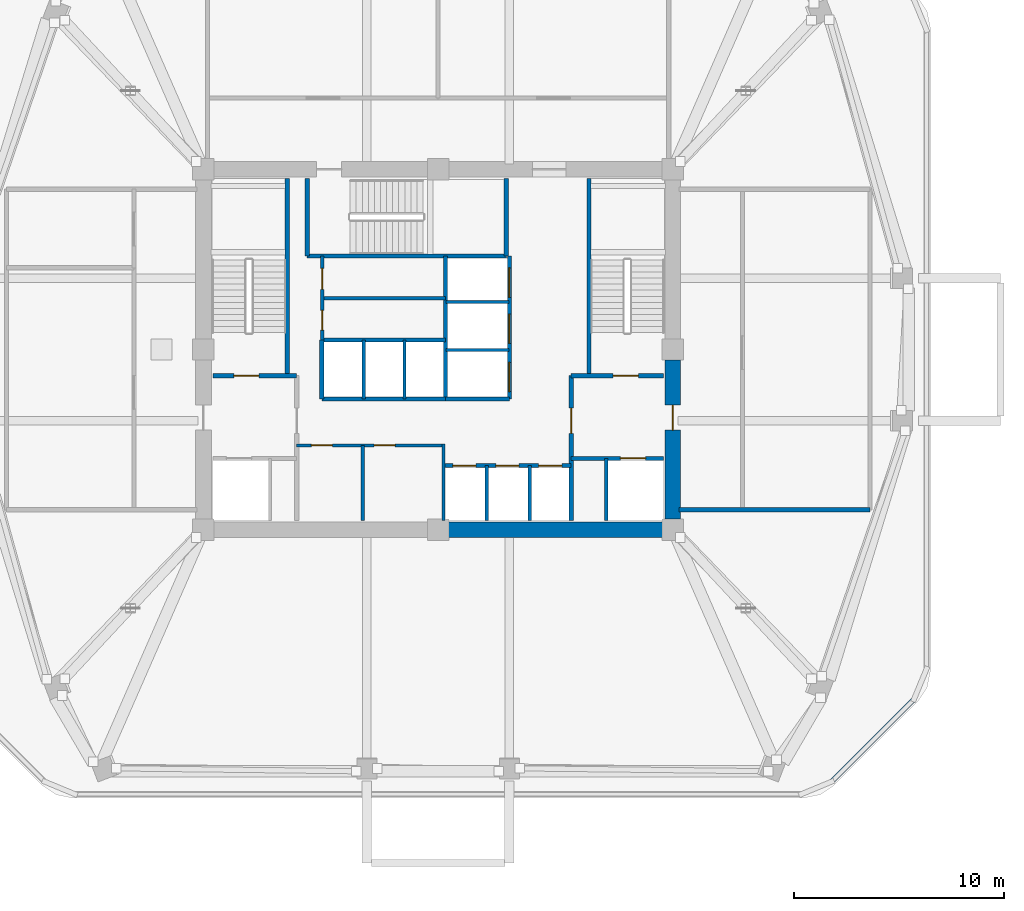
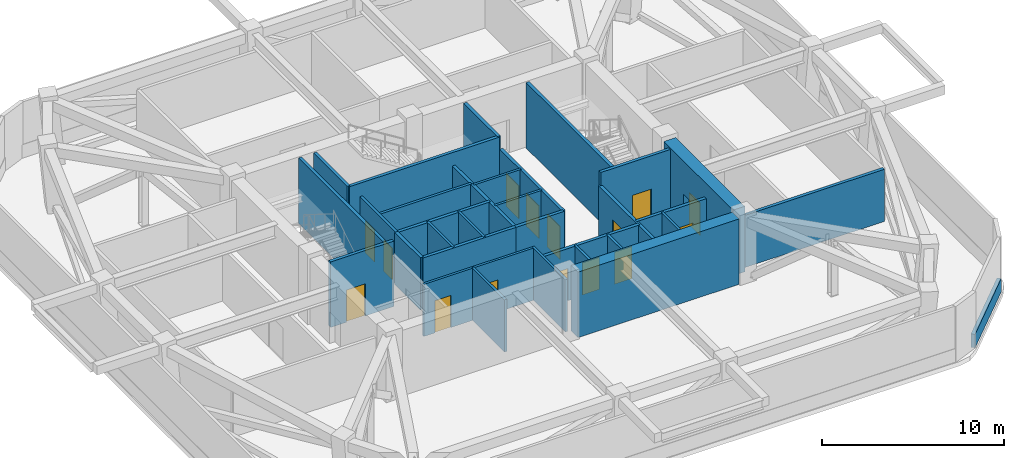
# One storey, part 4 of 8: 32 walls, 15 doors, 15 openings.
"""IFC4 building model written with IfcOpenShell, lengths in metres."""

from ifc_helpers import new_model, si_unit, derived_unit, direction, frame, frame_2d, origin, place, context, subcontext, project, spatial, rectangle, extrude, material, layer, layer_set, type_object, element, fill, save


model = new_model("IFC4")

# Units and contexts
model_context = context("Model", 3, precision=1e-05, world=origin(), true_north=direction((0.0, 1.0)))
body_context = subcontext(model_context, "Body", "Model", "MODEL_VIEW")
ifc_project = project(units=[si_unit("LENGTHUNIT", "METRE"), si_unit("AREAUNIT", "SQUARE_METRE"), si_unit("VOLUMEUNIT", "CUBIC_METRE"), si_unit("PLANEANGLEUNIT", "RADIAN"), si_unit("MASSUNIT", "GRAM", prefix="KILO"), derived_unit("THERMALTRANSMITTANCEUNIT", [(si_unit("POWERUNIT", "WATT"), 1), (si_unit("LENGTHUNIT", "METRE"), -2), (si_unit("THERMODYNAMICTEMPERATUREUNIT", "KELVIN"), -1)])], contexts=[model_context])

# Site, building, storey
site_placement = place(None, origin())
site = spatial("IfcSite", under=ifc_project, at=site_placement, CompositionType="ELEMENT")
building_placement = place(site_placement, origin())
building = spatial("IfcBuilding", under=site, at=building_placement, Name="Koralith Skygarden Medical Center", CompositionType="ELEMENT")
storey_placement = place(building_placement, frame((0.0, 0.0, 178.02001953125)))
storey = spatial("IfcBuildingStorey", under=building, at=storey_placement, Name="L46", CompositionType="ELEMENT", Elevation=178.02001953125)

# Wall, openings, doors
ifc_material_1 = material(Name="Gypsum Board Partition")
ifc_layer_1 = layer(ifc_material_1, 0.14990234375)
ifc_layer_set_1 = layer_set([ifc_layer_1], Name="Gypsum Board Partition")
wall_type_1 = type_object("IfcWallType", Name="Clinical Acoustic Partition 150", PredefinedType="PARTITIONING", material=ifc_layer_set_1)
wall_1_placement = place(storey_placement, frame((30.25, 21.320068359375, 0.0), z_axis=(0.0, 0.0, 1.0), x_axis=(1.0, 0.0, 0.0)))
wall_1 = element("IfcWall", 1, at=wall_1_placement, inside=storey, type_object=wall_type_1, Name="L46 Clinical Acoustic Partition 150 W-CORE-L46-FREED-LR-N", PredefinedType="PARTITIONING", context=body_context, shape_type="SweptSolid", body=[
    extrude(rectangle(XDim=7.0, YDim=0.14990234375, at=frame_2d((3.5, 0.0))), origin(), (0.0, 0.0, 1.0), 3.489990234375),
])
opening_1_placement = place(wall_1_placement, frame((0.699951171875, 0.0, 0.0)))
opening_1 = element("IfcOpeningElement", 2, at=opening_1_placement, cuts=wall_1, Name="Opening D-SUP", PredefinedType="OPENING", context=body_context, shape_type="SweptSolid", body=[
    extrude(rectangle(XDim=1.0, YDim=2.14990234375, at=frame_2d((0.5, 1.074951171875))), frame((0.0, 0.0849609375, 0.0), z_axis=(0.0, -1.0, 0.0), x_axis=(1.0, 0.0, 0.0)), (0.0, 0.0, 1.0), 0.169921875),
])
opening_2_placement = place(wall_1_placement, frame((3.699951171875, 0.0, 0.0)))
opening_2 = element("IfcOpeningElement", 3, at=opening_2_placement, cuts=wall_1, Name="Opening D-SUP", PredefinedType="OPENING", context=body_context, shape_type="SweptSolid", body=[
    extrude(rectangle(XDim=1.0, YDim=2.14990234375, at=frame_2d((0.5, 1.074951171875))), frame((0.0, 0.0849609375, 0.0), z_axis=(0.0, -1.0, 0.0), x_axis=(1.0, 0.0, 0.0)), (0.0, 0.0, 1.0), 0.169921875),
])
ifc_material_2 = material(Name="Aluminium 6063-T6", Category="aluminium")
door_type_1 = type_object("IfcDoorType", Name="Clinical Support Door D-SUP 1000", OperationType="NOTDEFINED", PredefinedType="DOOR", material=ifc_material_2)
door_1_placement = place(opening_1_placement, frame((1.0, 0.0, 0.0), z_axis=(0.0, 0.0, 1.0), x_axis=(-1.0, 0.0, 0.0)))
door_1 = element("IfcDoor", 4, at=door_1_placement, inside=storey, type_object=door_type_1, Name="L46 Medication Preparation Door", OperationType="SINGLE_SWING_LEFT", OverallHeight=2.14990234375, OverallWidth=1.0, PredefinedType="DOOR", context=body_context, shape_type="SweptSolid", body=[
    extrude(rectangle(XDim=1.0, YDim=2.14990234375, at=frame_2d((0.5, 1.074951171875))), frame((0.0, 0.02490234375, 0.0), z_axis=(0.0, -1.0, 0.0), x_axis=(1.0, 0.0, 0.0)), (0.0, 0.0, 1.0), 0.050048828125),
])
fill(opening_1, door_1)
door_2_placement = place(opening_2_placement, frame((1.0, 0.0, 0.0), z_axis=(0.0, 0.0, 1.0), x_axis=(-1.0, 0.0, 0.0)))
door_2 = element("IfcDoor", 5, at=door_2_placement, inside=storey, type_object=door_type_1, Name="L46 Telemetry Room Door", OperationType="SINGLE_SWING_RIGHT", OverallHeight=2.14990234375, OverallWidth=1.0, PredefinedType="DOOR", context=body_context, shape_type="SweptSolid", body=[
    extrude(rectangle(XDim=1.0, YDim=2.14990234375, at=frame_2d((0.5, 1.074951171875))), frame((0.0, 0.02490234375, 0.0), z_axis=(0.0, -1.0, 0.0), x_axis=(1.0, 0.0, 0.0)), (0.0, 0.0, 1.0), 0.050048828125),
])
fill(opening_2, door_2)

# Wall
wall_2_placement = place(storey_placement, frame((33.39990234375, 17.75, 0.0), z_axis=(0.0, 0.0, 1.0), x_axis=(0.0, 1.0, 0.0)))
element("IfcWall", 6, at=wall_2_placement, inside=storey, type_object=wall_type_1, Name="L46 Clinical Acoustic Partition 150 W-CORE-L46-FREED-LR-M", PredefinedType="PARTITIONING", context=body_context, shape_type="SweptSolid", body=[
    extrude(rectangle(XDim=3.570068359375, YDim=0.14990234375, at=frame_2d((1.78515625, 0.0))), origin(), (0.0, 0.0, 1.0), 3.489990234375),
])

# Wall, opening, door
ifc_layer_2 = layer(ifc_material_1, 0.199951171875)
ifc_layer_set_2 = layer_set([ifc_layer_2], Name="Gypsum Board Partition")
wall_type_2 = type_object("IfcWallType", Name="Fire Shaft Wall 200", PredefinedType="SOLIDWALL", material=ifc_layer_set_2)
wall_3_placement = place(storey_placement, frame((43.35009765625, 20.699951171875, 0.0), z_axis=(0.0, 0.0, 1.0), x_axis=(1.0, 0.0, 0.0)))
wall_3 = element("IfcWall", 7, at=wall_3_placement, inside=storey, type_object=wall_type_2, Name="L46 Fire Shaft Wall 200 W-CORE-L46-FF2-N", PredefinedType="SOLIDWALL", context=body_context, shape_type="SweptSolid", body=[
    extrude(rectangle(XDim=4.39990234375, YDim=0.199951171875, at=frame_2d((2.199951171875, 0.0))), origin(), (0.0, 0.0, 1.0), 3.489990234375),
])
opening_3_placement = place(wall_3_placement, frame((2.35009765625, 0.0, 0.0)))
opening_3 = element("IfcOpeningElement", 8, at=opening_3_placement, cuts=wall_3, Name="Opening LD-FF", PredefinedType="OPENING", context=body_context, shape_type="SweptSolid", body=[
    extrude(rectangle(XDim=1.199951171875, YDim=2.14990234375, at=frame_2d((0.60009765625, 1.074951171875))), frame((0.0, 0.10986328125, 0.0), z_axis=(0.0, -1.0, 0.0), x_axis=(1.0, 0.0, 0.0)), (0.0, 0.0, 1.0), 0.219970703125),
])
ifc_material_3 = material(Name="Steel ASTM A500 Grade C", Category="steel")
door_type_2 = type_object("IfcDoorType", Name="Fire Lift Sliding Landing Door LD-FF 1200", OperationType="NOTDEFINED", PredefinedType="DOOR", material=ifc_material_3)
door_3_placement = place(opening_3_placement, origin())
door_3 = element("IfcDoor", 9, at=door_3_placement, inside=storey, type_object=door_type_2, Name="L46 Fire Service Elevator FF2 Landing Door", OperationType="SLIDING_TO_RIGHT", OverallHeight=2.14990234375, OverallWidth=1.199951171875, PredefinedType="DOOR", context=body_context, shape_type="SweptSolid", body=[
    extrude(rectangle(XDim=1.199951171875, YDim=2.14990234375, at=frame_2d((0.60009765625, 1.074951171875))), frame((0.0, 0.02490234375, 0.0), z_axis=(0.0, -1.0, 0.0), x_axis=(1.0, 0.0, 0.0)), (0.0, 0.0, 1.0), 0.050048828125),
])
fill(opening_3, door_3)

wall_4_placement = place(storey_placement, frame((43.35009765625, 17.75, 0.0), z_axis=(0.0, 0.0, 1.0), x_axis=(0.0, 1.0, 0.0)))
wall_4 = element("IfcWall", 10, at=wall_4_placement, inside=storey, type_object=wall_type_2, Name="L46 Fire Shaft Wall 200 W-CORE-L46-FSAEE-W", PredefinedType="SOLIDWALL", context=body_context, shape_type="SweptSolid", body=[
    extrude(rectangle(XDim=6.89990234375, YDim=0.199951171875, at=frame_2d((3.449951171875, 0.0))), origin(), (0.0, 0.0, 1.0), 3.489990234375),
])
opening_4_placement = place(wall_4_placement, frame((4.14990234375, 0.0, 0.0)))
opening_4 = element("IfcOpeningElement", 11, at=opening_4_placement, cuts=wall_4, Name="Opening D-ST60", PredefinedType="OPENING", context=body_context, shape_type="SweptSolid", body=[
    extrude(rectangle(XDim=1.199951171875, YDim=2.14990234375, at=frame_2d((0.60009765625, 1.074951171875))), frame((0.0, 0.10986328125, 0.0), z_axis=(0.0, -1.0, 0.0), x_axis=(1.0, 0.0, 0.0)), (0.0, 0.0, 1.0), 0.219970703125),
])
door_type_3 = type_object("IfcDoorType", Name="Smokeproof Stair Fire Door FD60S 1200", OperationType="NOTDEFINED", PredefinedType="DOOR", material=ifc_material_3)
door_4_placement = place(opening_4_placement, frame((1.199951171875, 0.0, 0.0), z_axis=(0.0, 0.0, 1.0), x_axis=(-1.0, 0.0, 0.0)))
door_4 = element("IfcDoor", 12, at=door_4_placement, inside=storey, type_object=door_type_3, Name="L46 East Firefighting Lobby Inner Fire Door", OperationType="SINGLE_SWING_RIGHT", OverallHeight=2.14990234375, OverallWidth=1.199951171875, PredefinedType="DOOR", context=body_context, shape_type="SweptSolid", body=[
    extrude(rectangle(XDim=1.199951171875, YDim=2.14990234375, at=frame_2d((0.60009765625, 1.074951171875))), frame((0.0, 0.02490234375, 0.0), z_axis=(0.0, -1.0, 0.0), x_axis=(1.0, 0.0, 0.0)), (0.0, 0.0, 1.0), 0.050048828125),
])
fill(opening_4, door_4)

# Wall, openings, doors
wall_5_placement = place(storey_placement, frame((37.25, 20.360107421875, 0.0), z_axis=(0.0, 0.0, 1.0), x_axis=(1.0, 0.0, 0.0)))
wall_5 = element("IfcWall", 13, at=wall_5_placement, inside=storey, type_object=wall_type_2, Name="L46 Fire Shaft Wall 200 W-CORE-L46-PM-N", PredefinedType="SOLIDWALL", context=body_context, shape_type="SweptSolid", body=[
    extrude(rectangle(XDim=6.10009765625, YDim=0.199951171875, at=frame_2d((3.050048828125, 0.0))), origin(), (0.0, 0.0, 1.0), 3.489990234375),
])
opening_5_placement = place(wall_5_placement, frame((0.449951171875, 0.0, 0.0)))
opening_5 = element("IfcOpeningElement", 14, at=opening_5_placement, cuts=wall_5, Name="Opening LD-P", PredefinedType="OPENING", context=body_context, shape_type="SweptSolid", body=[
    extrude(rectangle(XDim=1.10009765625, YDim=2.14990234375, at=frame_2d((0.550048828125, 1.074951171875))), frame((0.0, 0.10986328125, 0.0), z_axis=(0.0, -1.0, 0.0), x_axis=(1.0, 0.0, 0.0)), (0.0, 0.0, 1.0), 0.219970703125),
])
opening_6_placement = place(wall_5_placement, frame((2.5, 0.0, 0.0)))
opening_6 = element("IfcOpeningElement", 15, at=opening_6_placement, cuts=wall_5, Name="Opening LD-P", PredefinedType="OPENING", context=body_context, shape_type="SweptSolid", body=[
    extrude(rectangle(XDim=1.10009765625, YDim=2.14990234375, at=frame_2d((0.550048828125, 1.074951171875))), frame((0.0, 0.10986328125, 0.0), z_axis=(0.0, -1.0, 0.0), x_axis=(1.0, 0.0, 0.0)), (0.0, 0.0, 1.0), 0.219970703125),
])
opening_7_placement = place(wall_5_placement, frame((4.550048828125, 0.0, 0.0)))
opening_7 = element("IfcOpeningElement", 16, at=opening_7_placement, cuts=wall_5, Name="Opening LD-P", PredefinedType="OPENING", context=body_context, shape_type="SweptSolid", body=[
    extrude(rectangle(XDim=1.10009765625, YDim=2.14990234375, at=frame_2d((0.550048828125, 1.074951171875))), frame((0.0, 0.10986328125, 0.0), z_axis=(0.0, -1.0, 0.0), x_axis=(1.0, 0.0, 0.0)), (0.0, 0.0, 1.0), 0.219970703125),
])
door_type_4 = type_object("IfcDoorType", Name="Passenger Lift Sliding Landing Door LD-P 1100", OperationType="NOTDEFINED", PredefinedType="DOOR", material=ifc_material_3)
door_5_placement = place(opening_5_placement, origin())
door_5 = element("IfcDoor", 17, at=door_5_placement, inside=storey, type_object=door_type_4, Name="L46 Passenger Elevator PM1 Landing Door", OperationType="SLIDING_TO_LEFT", OverallHeight=2.14990234375, OverallWidth=1.10009765625, PredefinedType="DOOR", context=body_context, shape_type="SweptSolid", body=[
    extrude(rectangle(XDim=1.10009765625, YDim=2.14990234375, at=frame_2d((0.550048828125, 1.074951171875))), frame((0.0, 0.02490234375, 0.0), z_axis=(0.0, -1.0, 0.0), x_axis=(1.0, 0.0, 0.0)), (0.0, 0.0, 1.0), 0.050048828125),
])
fill(opening_5, door_5)
door_6_placement = place(opening_6_placement, origin())
door_6 = element("IfcDoor", 18, at=door_6_placement, inside=storey, type_object=door_type_4, Name="L46 Passenger Elevator PM2 Landing Door", OperationType="SLIDING_TO_LEFT", OverallHeight=2.14990234375, OverallWidth=1.10009765625, PredefinedType="DOOR", context=body_context, shape_type="SweptSolid", body=[
    extrude(rectangle(XDim=1.10009765625, YDim=2.14990234375, at=frame_2d((0.550048828125, 1.074951171875))), frame((0.0, 0.02490234375, 0.0), z_axis=(0.0, -1.0, 0.0), x_axis=(1.0, 0.0, 0.0)), (0.0, 0.0, 1.0), 0.050048828125),
])
fill(opening_6, door_6)
door_7_placement = place(opening_7_placement, origin())
door_7 = element("IfcDoor", 19, at=door_7_placement, inside=storey, type_object=door_type_4, Name="L46 Passenger Elevator PM3 Landing Door", OperationType="SLIDING_TO_LEFT", OverallHeight=2.14990234375, OverallWidth=1.10009765625, PredefinedType="DOOR", context=body_context, shape_type="SweptSolid", body=[
    extrude(rectangle(XDim=1.10009765625, YDim=2.14990234375, at=frame_2d((0.550048828125, 1.074951171875))), frame((0.0, 0.02490234375, 0.0), z_axis=(0.0, -1.0, 0.0), x_axis=(1.0, 0.0, 0.0)), (0.0, 0.0, 1.0), 0.050048828125),
])
fill(opening_7, door_7)

# Walls
for number, where, z_axis, x_axis, name in (
    (20, (31.449951171875, 23.5400390625, 0.0), (0.0, 0.0, 1.0), (1.0, 0.0, 0.0), "L46 Fire Shaft Wall 200 W-CORE-L46-PH-S"),
    (21, (31.449951171875, 26.35009765625, 0.0), (0.0, 0.0, 1.0), (1.0, 0.0, 0.0), "L46 Fire Shaft Wall 200 W-CORE-L46-PH-N"),
):
    element("IfcWall", number, at=place(storey_placement, frame(where, z_axis=z_axis, x_axis=x_axis)), inside=storey, type_object=wall_type_2, Name=name, PredefinedType="SOLIDWALL", context=body_context, shape_type="SweptSolid", body=[
        extrude(rectangle(XDim=5.900146484375, YDim=0.199951171875, at=frame_2d((2.9501953125, 0.0))), origin(), (0.0, 0.0, 1.0), 3.489990234375),
    ])
wall_6_placement = place(storey_placement, frame((31.449951171875, 23.5400390625, 0.0), z_axis=(0.0, 0.0, 1.0), x_axis=(0.0, 1.0, 0.0)))
element("IfcWall", 22, at=wall_6_placement, inside=storey, type_object=wall_type_2, Name="L46 Fire Shaft Wall 200 W-CORE-L46-PH-W", PredefinedType="SOLIDWALL", context=body_context, shape_type="SweptSolid", body=[
    extrude(rectangle(XDim=2.81005859375, YDim=0.199951171875, at=frame_2d((1.405029296875, 0.0))), origin(), (0.0, 0.0, 1.0), 3.489990234375),
])
wall_7_placement = place(storey_placement, frame((37.35009765625, 23.5400390625, 0.0), z_axis=(0.0, 0.0, 1.0), x_axis=(0.0, 1.0, 0.0)))
element("IfcWall", 23, at=wall_7_placement, inside=storey, type_object=wall_type_2, Name="L46 Fire Shaft Wall 200 W-CORE-L46-SV-W", PredefinedType="SOLIDWALL", context=body_context, shape_type="SweptSolid", body=[
    extrude(rectangle(XDim=6.820068359375, YDim=0.199951171875, at=frame_2d((3.41015625, 0.0))), origin(), (0.0, 0.0, 1.0), 3.489990234375),
])
wall_8_placement = place(storey_placement, frame((37.35009765625, 23.5400390625, 0.0), z_axis=(0.0, 0.0, 1.0), x_axis=(1.0, 0.0, 0.0)))
element("IfcWall", 24, at=wall_8_placement, inside=storey, type_object=wall_type_2, Name="L46 Fire Shaft Wall 200 W-CORE-L46-SV-S", PredefinedType="SOLIDWALL", context=body_context, shape_type="SweptSolid", body=[
    extrude(rectangle(XDim=3.0498046875, YDim=0.199951171875, at=frame_2d((1.52490234375, 0.0))), origin(), (0.0, 0.0, 1.0), 3.489990234375),
])

# Wall, openings, doors
wall_9_placement = place(storey_placement, frame((40.39990234375, 23.5400390625, 0.0), z_axis=(0.0, 0.0, 1.0), x_axis=(0.0, 1.0, 0.0)))
wall_9 = element("IfcWall", 25, at=wall_9_placement, inside=storey, type_object=wall_type_2, Name="L46 Fire Shaft Wall 200 W-CORE-L46-SV-E", PredefinedType="SOLIDWALL", context=body_context, shape_type="SweptSolid", body=[
    extrude(rectangle(XDim=6.820068359375, YDim=0.199951171875, at=frame_2d((3.41015625, 0.0))), origin(), (0.0, 0.0, 1.0), 3.489990234375),
])
opening_8_placement = place(wall_9_placement, frame((0.35009765625, 0.0, 0.0)))
opening_8 = element("IfcOpeningElement", 26, at=opening_8_placement, cuts=wall_9, Name="Opening LD-SV", PredefinedType="OPENING", context=body_context, shape_type="SweptSolid", body=[
    extrude(rectangle(XDim=1.39990234375, YDim=2.199951171875, at=frame_2d((0.699951171875, 1.10009765625))), frame((0.0, 0.10986328125, 0.0), z_axis=(0.0, -1.0, 0.0), x_axis=(1.0, 0.0, 0.0)), (0.0, 0.0, 1.0), 0.219970703125),
])
opening_9_placement = place(wall_9_placement, frame((2.64990234375, 0.0, 0.0)))
opening_9 = element("IfcOpeningElement", 27, at=opening_9_placement, cuts=wall_9, Name="Opening LD-SV", PredefinedType="OPENING", context=body_context, shape_type="SweptSolid", body=[
    extrude(rectangle(XDim=1.39990234375, YDim=2.199951171875, at=frame_2d((0.699951171875, 1.10009765625))), frame((0.0, 0.10986328125, 0.0), z_axis=(0.0, -1.0, 0.0), x_axis=(1.0, 0.0, 0.0)), (0.0, 0.0, 1.0), 0.219970703125),
])
opening_10_placement = place(wall_9_placement, frame((4.85009765625, 0.0, 0.0)))
opening_10 = element("IfcOpeningElement", 28, at=opening_10_placement, cuts=wall_9, Name="Opening LD-SV", PredefinedType="OPENING", context=body_context, shape_type="SweptSolid", body=[
    extrude(rectangle(XDim=1.39990234375, YDim=2.199951171875, at=frame_2d((0.699951171875, 1.10009765625))), frame((0.0, 0.10986328125, 0.0), z_axis=(0.0, -1.0, 0.0), x_axis=(1.0, 0.0, 0.0)), (0.0, 0.0, 1.0), 0.219970703125),
])
door_type_5 = type_object("IfcDoorType", Name="Bed Lift Sliding Landing Door LD-SV 1400", OperationType="NOTDEFINED", PredefinedType="DOOR", material=ifc_material_3)
door_8_placement = place(opening_8_placement, origin())
door_8 = element("IfcDoor", 29, at=door_8_placement, inside=storey, type_object=door_type_5, Name="L46 Bed Elevator BD1 Landing Door", OperationType="SLIDING_TO_LEFT", OverallHeight=2.199951171875, OverallWidth=1.39990234375, PredefinedType="DOOR", context=body_context, shape_type="SweptSolid", body=[
    extrude(rectangle(XDim=1.39990234375, YDim=2.199951171875, at=frame_2d((0.699951171875, 1.10009765625))), frame((0.0, 0.02490234375, 0.0), z_axis=(0.0, -1.0, 0.0), x_axis=(1.0, 0.0, 0.0)), (0.0, 0.0, 1.0), 0.050048828125),
])
fill(opening_8, door_8)
door_9_placement = place(opening_9_placement, origin())
door_9 = element("IfcDoor", 30, at=door_9_placement, inside=storey, type_object=door_type_5, Name="L46 Service Elevator BD2 Landing Door", OperationType="SLIDING_TO_LEFT", OverallHeight=2.199951171875, OverallWidth=1.39990234375, PredefinedType="DOOR", context=body_context, shape_type="SweptSolid", body=[
    extrude(rectangle(XDim=1.39990234375, YDim=2.199951171875, at=frame_2d((0.699951171875, 1.10009765625))), frame((0.0, 0.02490234375, 0.0), z_axis=(0.0, -1.0, 0.0), x_axis=(1.0, 0.0, 0.0)), (0.0, 0.0, 1.0), 0.050048828125),
])
fill(opening_9, door_9)
door_10_placement = place(opening_10_placement, origin())
door_10 = element("IfcDoor", 31, at=door_10_placement, inside=storey, type_object=door_type_5, Name="L46 Trauma Elevator TR1 Landing Door", OperationType="SLIDING_TO_RIGHT", OverallHeight=2.199951171875, OverallWidth=1.39990234375, PredefinedType="DOOR", context=body_context, shape_type="SweptSolid", body=[
    extrude(rectangle(XDim=1.39990234375, YDim=2.199951171875, at=frame_2d((0.699951171875, 1.10009765625))), frame((0.0, 0.02490234375, 0.0), z_axis=(0.0, -1.0, 0.0), x_axis=(1.0, 0.0, 0.0)), (0.0, 0.0, 1.0), 0.050048828125),
])
fill(opening_10, door_10)

# Walls
wall_10_placement = place(storey_placement, frame((48.5, 18.25, 0.0), z_axis=(0.0, 0.0, 1.0), x_axis=(1.0, 0.0, 0.0)))
element("IfcWall", 32, at=wall_10_placement, inside=storey, type_object=wall_type_2, Name="L46 Fire Shaft Wall 200 W-PL-L46-EC-S", PredefinedType="SOLIDWALL", context=body_context, shape_type="SweptSolid", body=[
    extrude(rectangle(XDim=9.10009765625, YDim=0.199951171875, at=frame_2d((4.550048828125, 0.0))), origin(), (0.0, 0.0, 1.0), 3.489990234375),
])
ifc_material_4 = material(Name="Warm Oolitic Limestone Cladding", Category="masonry")
ifc_layer_3 = layer(ifc_material_4, 0.239990234375)
ifc_layer_set_3 = layer_set([ifc_layer_3], Name="Warm Oolitic Limestone Cladding")
wall_type_3 = type_object("IfcWallType", Name="Limestone Spandrel Sill Backup Wall 240", PredefinedType="SOLIDWALL", material=ifc_layer_set_3)
wall_11_placement = place(storey_placement, frame((55.780029296875, 5.281005859375, 0.0), z_axis=(0.0, 0.0, 1.0), x_axis=(0.707084777957, 0.707128783731, 0.0)))
element("IfcWall", 33, at=wall_11_placement, inside=storey, type_object=wall_type_3, Name="L46 Plant Sill Backup Wall SE", PredefinedType="SOLIDWALL", context=body_context, shape_type="SweptSolid", body=[
    extrude(rectangle(XDim=5.5478515625, YDim=0.239990234375, at=frame_2d((2.77392578125, 0.0))), origin(), (0.0, 0.0, 1.0), 0.89990234375),
])
ifc_material_5 = material(Name="Concrete C70/85", Category="concrete")
ifc_layer_4 = layer(ifc_material_5, 0.75)
ifc_layer_set_4 = layer_set([ifc_layer_4], Name="Concrete C70/85")
wall_type_4 = type_object("IfcWallType", Name="Mid Core Shear Wall 750", PredefinedType="SHEAR", material=ifc_layer_set_4)
wall_12_placement = place(storey_placement, frame((37.5048828125, 17.300048828125, 0.0), z_axis=(0.0, 0.0, 1.0), x_axis=(1.0, 0.0, 0.0)))
element("IfcWall", 34, at=wall_12_placement, inside=storey, type_object=wall_type_4, Name="L46 Core Shear Wall Segment 2", PredefinedType="SHEAR", context=body_context, shape_type="SweptSolid", body=[
    extrude(rectangle(XDim=10.190185546875, YDim=0.75, at=frame_2d((5.09521484375, 0.0))), origin(), (0.0, 0.0, 1.0), 4.3798828125),
])

# Wall, opening, door
wall_13_placement = place(storey_placement, frame((48.199951171875, 17.804931640625, 0.0), z_axis=(0.0, 0.0, 1.0), x_axis=(0.0, 1.0, 0.0)))
wall_13 = element("IfcWall", 35, at=wall_13_placement, inside=storey, type_object=wall_type_4, Name="L46 Core Shear Wall Segment 3", PredefinedType="SHEAR", context=body_context, shape_type="SweptSolid", body=[
    extrude(rectangle(XDim=7.590087890625, YDim=0.75, at=frame_2d((3.794921875, 0.0))), origin(), (0.0, 0.0, 1.0), 4.3798828125),
])
opening_11_placement = place(wall_13_placement, frame((4.2451171875, 0.0, 0.0)))
opening_11 = element("IfcOpeningElement", 36, at=opening_11_placement, cuts=wall_13, Name="Opening D-ST60", PredefinedType="OPENING", context=body_context, shape_type="SweptSolid", body=[
    extrude(rectangle(XDim=1.199951171875, YDim=2.14990234375, at=frame_2d((0.60009765625, 1.074951171875))), frame((0.0, 0.385009765625, 0.0), z_axis=(0.0, -1.0, 0.0), x_axis=(1.0, 0.0, 0.0)), (0.0, 0.0, 1.0), 0.77001953125),
])
door_11_placement = place(opening_11_placement, frame((1.199951171875, 0.0, 0.0), z_axis=(0.0, 0.0, 1.0), x_axis=(-1.0, 0.0, 0.0)))
door_11 = element("IfcDoor", 37, at=door_11_placement, inside=storey, type_object=door_type_3, Name="L46 East Corridor to Firefighting Lobby Door", OperationType="SINGLE_SWING_RIGHT", OverallHeight=2.14990234375, OverallWidth=1.199951171875, PredefinedType="DOOR", context=body_context, shape_type="SweptSolid", body=[
    extrude(rectangle(XDim=1.199951171875, YDim=2.14990234375, at=frame_2d((0.60009765625, 1.074951171875))), frame((0.0, 0.02490234375, 0.0), z_axis=(0.0, -1.0, 0.0), x_axis=(1.0, 0.0, 0.0)), (0.0, 0.0, 1.0), 0.050048828125),
])
fill(opening_11, door_11)

# Wall, openings, doors
ifc_layer_5 = layer(ifc_material_1, 0.1650390625)
ifc_layer_set_5 = layer_set([ifc_layer_5], Name="Gypsum Board Partition")
wall_type_5 = type_object("IfcWallType", Name="Plumbing Wet Wall 165", PredefinedType="PLUMBINGWALL", material=ifc_layer_set_5)
wall_14_placement = place(storey_placement, frame((31.47998046875, 26.320068359375, 0.0), z_axis=(0.0, 0.0, 1.0), x_axis=(0.0, 1.0, 0.0)))
wall_14 = element("IfcWall", 38, at=wall_14_placement, inside=storey, type_object=wall_type_5, Name="L46 Plumbing Wet Wall 165 W-CORE-L46-FLEX-W", PredefinedType="PLUMBINGWALL", context=body_context, shape_type="SweptSolid", body=[
    extrude(rectangle(XDim=4.0400390625, YDim=0.1650390625, at=frame_2d((2.02001953125, 0.0))), origin(), (0.0, 0.0, 1.0), 3.489990234375),
])
opening_12_placement = place(wall_14_placement, frame((0.5, 0.0, 0.0)))
opening_12 = element("IfcOpeningElement", 39, at=opening_12_placement, cuts=wall_14, Name="Opening D-WC", PredefinedType="OPENING", context=body_context, shape_type="SweptSolid", body=[
    extrude(rectangle(XDim=0.949951171875, YDim=2.10009765625, at=frame_2d((0.47509765625, 1.050048828125))), frame((0.0, 0.092529296875, 0.0), z_axis=(0.0, -1.0, 0.0), x_axis=(1.0, 0.0, 0.0)), (0.0, 0.0, 1.0), 0.18505859375),
])
opening_13_placement = place(wall_14_placement, frame((2.449951171875, 0.0, 0.0)))
opening_13 = element("IfcOpeningElement", 40, at=opening_13_placement, cuts=wall_14, Name="Opening D-SUP", PredefinedType="OPENING", context=body_context, shape_type="SweptSolid", body=[
    extrude(rectangle(XDim=1.0, YDim=2.14990234375, at=frame_2d((0.5, 1.074951171875))), frame((0.0, 0.092529296875, 0.0), z_axis=(0.0, -1.0, 0.0), x_axis=(1.0, 0.0, 0.0)), (0.0, 0.0, 1.0), 0.18505859375),
])
door_type_6 = type_object("IfcDoorType", Name="Accessible Toilet Door D-WC 950", OperationType="NOTDEFINED", PredefinedType="DOOR", material=ifc_material_2)
door_12_placement = place(opening_12_placement, frame((0.949951171875, 0.0, 0.0), z_axis=(0.0, 0.0, 1.0), x_axis=(-1.0, 0.0, 0.0)))
door_12 = element("IfcDoor", 41, at=door_12_placement, inside=storey, type_object=door_type_6, Name="L46 Core Accessible WC Door", OperationType="SINGLE_SWING_LEFT", OverallHeight=2.10009765625, OverallWidth=0.949951171875, PredefinedType="DOOR", context=body_context, shape_type="SweptSolid", body=[
    extrude(rectangle(XDim=0.949951171875, YDim=2.10009765625, at=frame_2d((0.47509765625, 1.050048828125))), frame((0.0, 0.02490234375, 0.0), z_axis=(0.0, -1.0, 0.0), x_axis=(1.0, 0.0, 0.0)), (0.0, 0.0, 1.0), 0.050048828125),
])
fill(opening_12, door_12)
door_13_placement = place(opening_13_placement, frame((1.0, 0.0, 0.0), z_axis=(0.0, 0.0, 1.0), x_axis=(-1.0, 0.0, 0.0)))
door_13 = element("IfcDoor", 42, at=door_13_placement, inside=storey, type_object=door_type_1, Name="L46 Core Clean Utility Door", OperationType="SINGLE_SWING_RIGHT", OverallHeight=2.14990234375, OverallWidth=1.0, PredefinedType="DOOR", context=body_context, shape_type="SweptSolid", body=[
    extrude(rectangle(XDim=1.0, YDim=2.14990234375, at=frame_2d((0.5, 1.074951171875))), frame((0.0, 0.02490234375, 0.0), z_axis=(0.0, -1.0, 0.0), x_axis=(1.0, 0.0, 0.0)), (0.0, 0.0, 1.0), 0.050048828125),
])
fill(opening_13, door_13)

# Walls
wall_15_placement = place(storey_placement, frame((31.47998046875, 28.340087890625, 0.0), z_axis=(0.0, 0.0, 1.0), x_axis=(1.0, 0.0, 0.0)))
element("IfcWall", 43, at=wall_15_placement, inside=storey, type_object=wall_type_5, Name="L46 Plumbing Wet Wall 165 W-CORE-L46-FLEX-H0", PredefinedType="PLUMBINGWALL", context=body_context, shape_type="SweptSolid", body=[
    extrude(rectangle(XDim=5.8701171875, YDim=0.1650390625, at=frame_2d((2.93505859375, 0.0))), origin(), (0.0, 0.0, 1.0), 3.489990234375),
])
ifc_layer_6 = layer(ifc_material_1, 0.14990234375)
ifc_layer_set_6 = layer_set([ifc_layer_6], Name="Gypsum Board Partition")
wall_type_6 = type_object("IfcWallType", Name="Shaft Partition Wall 150", PredefinedType="PARTITIONING", material=ifc_layer_set_6)
wall_16_placement = place(storey_placement, frame((45.02001953125, 17.75, 0.0), z_axis=(0.0, 0.0, 1.0), x_axis=(0.0, 1.0, 0.0)))
element("IfcWall", 44, at=wall_16_placement, inside=storey, type_object=wall_type_6, Name="L46 Shaft Partition Wall 150 W-CORE-L46-RSRE-DIV", PredefinedType="PARTITIONING", context=body_context, shape_type="SweptSolid", body=[
    extrude(rectangle(XDim=2.949951171875, YDim=0.14990234375, at=frame_2d((1.47509765625, 0.0))), origin(), (0.0, 0.0, 1.0), 3.489990234375),
])
for number, where, z_axis, x_axis, name in (
    (45, (39.320068359375, 17.75, 0.0), (0.0, 0.0, 1.0), (0.0, 1.0, 0.0), "L46 Shaft Partition Wall 150 W-CORE-L46-PM-D1"),
    (46, (41.3701171875, 17.75, 0.0), (0.0, 0.0, 1.0), (0.0, 1.0, 0.0), "L46 Shaft Partition Wall 150 W-CORE-L46-PM-D2"),
):
    element("IfcWall", number, at=place(storey_placement, frame(where, z_axis=z_axis, x_axis=x_axis)), inside=storey, type_object=wall_type_6, Name=name, PredefinedType="PARTITIONING", context=body_context, shape_type="SweptSolid", body=[
        extrude(rectangle(XDim=2.610107421875, YDim=0.14990234375, at=frame_2d((1.30517578125, 0.0))), origin(), (0.0, 0.0, 1.0), 3.489990234375),
    ])
wall_17_placement = place(storey_placement, frame((37.25, 17.75, 0.0), z_axis=(0.0, 0.0, 1.0), x_axis=(0.0, 1.0, 0.0)))
element("IfcWall", 47, at=wall_17_placement, inside=storey, type_object=wall_type_6, Name="L46 Shaft Partition Wall 150 W-CORE-L46-PL-PM-SEP", PredefinedType="PARTITIONING", context=body_context, shape_type="SweptSolid", body=[
    extrude(rectangle(XDim=3.64990234375, YDim=0.14990234375, at=frame_2d((1.824951171875, 0.0))), origin(), (0.0, 0.0, 1.0), 3.489990234375),
])
for number, where, z_axis, x_axis, name in (
    (48, (33.449951171875, 23.5400390625, 0.0), (0.0, 0.0, 1.0), (0.0, 1.0, 0.0), "L46 Shaft Partition Wall 150 W-CORE-L46-PH-D1"),
    (49, (35.39990234375, 23.5400390625, 0.0), (0.0, 0.0, 1.0), (0.0, 1.0, 0.0), "L46 Shaft Partition Wall 150 W-CORE-L46-PH-D2"),
):
    element("IfcWall", number, at=place(storey_placement, frame(where, z_axis=z_axis, x_axis=x_axis)), inside=storey, type_object=wall_type_6, Name=name, PredefinedType="PARTITIONING", context=body_context, shape_type="SweptSolid", body=[
        extrude(rectangle(XDim=2.81005859375, YDim=0.14990234375, at=frame_2d((1.405029296875, 0.0))), origin(), (0.0, 0.0, 1.0), 3.489990234375),
    ])
for number, where, z_axis, x_axis, name in (
    (50, (37.3701171875, 25.8701171875, 0.0), (0.0, 0.0, 1.0), (1.0, 0.0, 0.0), "L46 Shaft Partition Wall 150 W-CORE-L46-SV-D1"),
    (51, (37.3701171875, 28.169921875, 0.0), (0.0, 0.0, 1.0), (1.0, 0.0, 0.0), "L46 Shaft Partition Wall 150 W-CORE-L46-SV-D2"),
):
    element("IfcWall", number, at=place(storey_placement, frame(where, z_axis=z_axis, x_axis=x_axis)), inside=storey, type_object=wall_type_6, Name=name, PredefinedType="PARTITIONING", context=body_context, shape_type="SweptSolid", body=[
        extrude(rectangle(XDim=3.009765625, YDim=0.14990234375, at=frame_2d((1.5048828125, 0.0))), origin(), (0.0, 0.0, 1.0), 3.489990234375),
    ])
ifc_material_6 = material(Name="Concrete C45/55", Category="concrete")
ifc_layer_7 = layer(ifc_material_6, 0.199951171875)
ifc_layer_set_7 = layer_set([ifc_layer_7], Name="Concrete C45/55")
wall_type_7 = type_object("IfcWallType", Name="Structural Stair Shaft Wall 200", PredefinedType="SHEAR", material=ifc_layer_set_7)
wall_18_placement = place(storey_placement, frame((29.800048828125, 24.64990234375, 0.0), z_axis=(0.0, 0.0, 1.0), x_axis=(0.0, 1.0, 0.0)))
element("IfcWall", 52, at=wall_18_placement, inside=storey, type_object=wall_type_7, Name="L46 Structural Stair Shaft Wall 200 W-CORE-L46-ST1-E", PredefinedType="SHEAR", context=body_context, shape_type="SweptSolid", body=[
    extrude(rectangle(XDim=9.400146484375, YDim=0.199951171875, at=frame_2d((4.7001953125, 0.0))), origin(), (0.0, 0.0, 1.0), 4.3798828125),
])

# Wall, opening, door
wall_19_placement = place(storey_placement, frame((26.25, 24.64990234375, 0.0), z_axis=(0.0, 0.0, 1.0), x_axis=(1.0, 0.0, 0.0)))
wall_19 = element("IfcWall", 53, at=wall_19_placement, inside=storey, type_object=wall_type_7, Name="L46 Structural Stair Shaft Wall 200 W-CORE-L46-ST1-S", PredefinedType="SHEAR", context=body_context, shape_type="SweptSolid", body=[
    extrude(rectangle(XDim=4.0, YDim=0.199951171875, at=frame_2d((2.0, 0.0))), origin(), (0.0, 0.0, 1.0), 4.3798828125),
])
opening_14_placement = place(wall_19_placement, frame((1.0, 0.0, 0.0)))
opening_14 = element("IfcOpeningElement", 54, at=opening_14_placement, cuts=wall_19, Name="Opening D-ST60", PredefinedType="OPENING", context=body_context, shape_type="SweptSolid", body=[
    extrude(rectangle(XDim=1.199951171875, YDim=2.14990234375, at=frame_2d((0.60009765625, 1.074951171875))), frame((0.0, 0.10986328125, 0.0), z_axis=(0.0, -1.0, 0.0), x_axis=(1.0, 0.0, 0.0)), (0.0, 0.0, 1.0), 0.219970703125),
])
door_14_placement = place(opening_14_placement, origin())
door_14 = element("IfcDoor", 55, at=door_14_placement, inside=storey, type_object=door_type_3, Name="L46 Exit Stair ST1 Fire Door", OperationType="SINGLE_SWING_LEFT", OverallHeight=2.14990234375, OverallWidth=1.199951171875, PredefinedType="DOOR", context=body_context, shape_type="SweptSolid", body=[
    extrude(rectangle(XDim=1.199951171875, YDim=2.14990234375, at=frame_2d((0.60009765625, 1.074951171875))), frame((0.0, 0.02490234375, 0.0), z_axis=(0.0, -1.0, 0.0), x_axis=(1.0, 0.0, 0.0)), (0.0, 0.0, 1.0), 0.050048828125),
])
fill(opening_14, door_14)

# Wall
wall_20_placement = place(storey_placement, frame((44.199951171875, 24.64990234375, 0.0), z_axis=(0.0, 0.0, 1.0), x_axis=(0.0, 1.0, 0.0)))
element("IfcWall", 56, at=wall_20_placement, inside=storey, type_object=wall_type_7, Name="L46 Structural Stair Shaft Wall 200 W-CORE-L46-ST2-W", PredefinedType="SHEAR", context=body_context, shape_type="SweptSolid", body=[
    extrude(rectangle(XDim=9.400146484375, YDim=0.199951171875, at=frame_2d((4.7001953125, 0.0))), origin(), (0.0, 0.0, 1.0), 4.3798828125),
])

# Wall, opening, door
wall_21_placement = place(storey_placement, frame((43.35009765625, 24.64990234375, 0.0), z_axis=(0.0, 0.0, 1.0), x_axis=(1.0, 0.0, 0.0)))
wall_21 = element("IfcWall", 57, at=wall_21_placement, inside=storey, type_object=wall_type_7, Name="L46 Structural Stair Shaft Wall 200 W-CORE-L46-ST2-S", PredefinedType="SHEAR", context=body_context, shape_type="SweptSolid", body=[
    extrude(rectangle(XDim=4.39990234375, YDim=0.199951171875, at=frame_2d((2.199951171875, 0.0))), origin(), (0.0, 0.0, 1.0), 4.3798828125),
])
opening_15_placement = place(wall_21_placement, frame((2.0, 0.0, 0.0)))
opening_15 = element("IfcOpeningElement", 58, at=opening_15_placement, cuts=wall_21, Name="Opening D-ST60", PredefinedType="OPENING", context=body_context, shape_type="SweptSolid", body=[
    extrude(rectangle(XDim=1.199951171875, YDim=2.14990234375, at=frame_2d((0.60009765625, 1.074951171875))), frame((0.0, 0.10986328125, 0.0), z_axis=(0.0, -1.0, 0.0), x_axis=(1.0, 0.0, 0.0)), (0.0, 0.0, 1.0), 0.219970703125),
])
door_15_placement = place(opening_15_placement, origin())
door_15 = element("IfcDoor", 59, at=door_15_placement, inside=storey, type_object=door_type_3, Name="L46 Exit Stair ST2 Fire Door", OperationType="SINGLE_SWING_RIGHT", OverallHeight=2.14990234375, OverallWidth=1.199951171875, PredefinedType="DOOR", context=body_context, shape_type="SweptSolid", body=[
    extrude(rectangle(XDim=1.199951171875, YDim=2.14990234375, at=frame_2d((0.60009765625, 1.074951171875))), frame((0.0, 0.02490234375, 0.0), z_axis=(0.0, -1.0, 0.0), x_axis=(1.0, 0.0, 0.0)), (0.0, 0.0, 1.0), 0.050048828125),
])
fill(opening_15, door_15)

# Walls
wall_22_placement = place(storey_placement, frame((30.75, 30.360107421875, 0.0), z_axis=(0.0, 0.0, 1.0), x_axis=(1.0, 0.0, 0.0)))
element("IfcWall", 60, at=wall_22_placement, inside=storey, type_object=wall_type_7, Name="L46 Structural Stair Shaft Wall 200 W-CORE-L46-ST3-S", PredefinedType="SHEAR", context=body_context, shape_type="SweptSolid", body=[
    extrude(rectangle(XDim=9.5, YDim=0.199951171875, at=frame_2d((4.75, 0.0))), origin(), (0.0, 0.0, 1.0), 4.3798828125),
])
for number, where, z_axis, x_axis, name in (
    (61, (30.75, 30.360107421875, 0.0), (0.0, 0.0, 1.0), (0.0, 1.0, 0.0), "L46 Structural Stair Shaft Wall 200 W-CORE-L46-ST3-W"),
    (62, (40.25, 30.360107421875, 0.0), (0.0, 0.0, 1.0), (0.0, 1.0, 0.0), "L46 Structural Stair Shaft Wall 200 W-CORE-L46-ST3-E"),
):
    element("IfcWall", number, at=place(storey_placement, frame(where, z_axis=z_axis, x_axis=x_axis)), inside=storey, type_object=wall_type_7, Name=name, PredefinedType="SHEAR", context=body_context, shape_type="SweptSolid", body=[
        extrude(rectangle(XDim=3.68994140625, YDim=0.199951171875, at=frame_2d((1.844970703125, 0.0))), origin(), (0.0, 0.0, 1.0), 4.3798828125),
    ])

save(model, "model.ifc")
